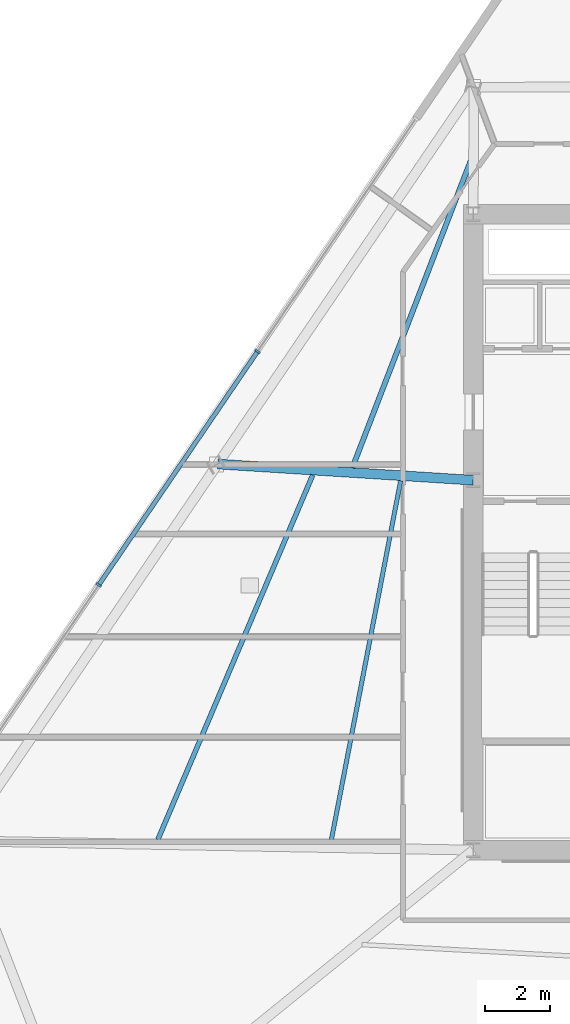
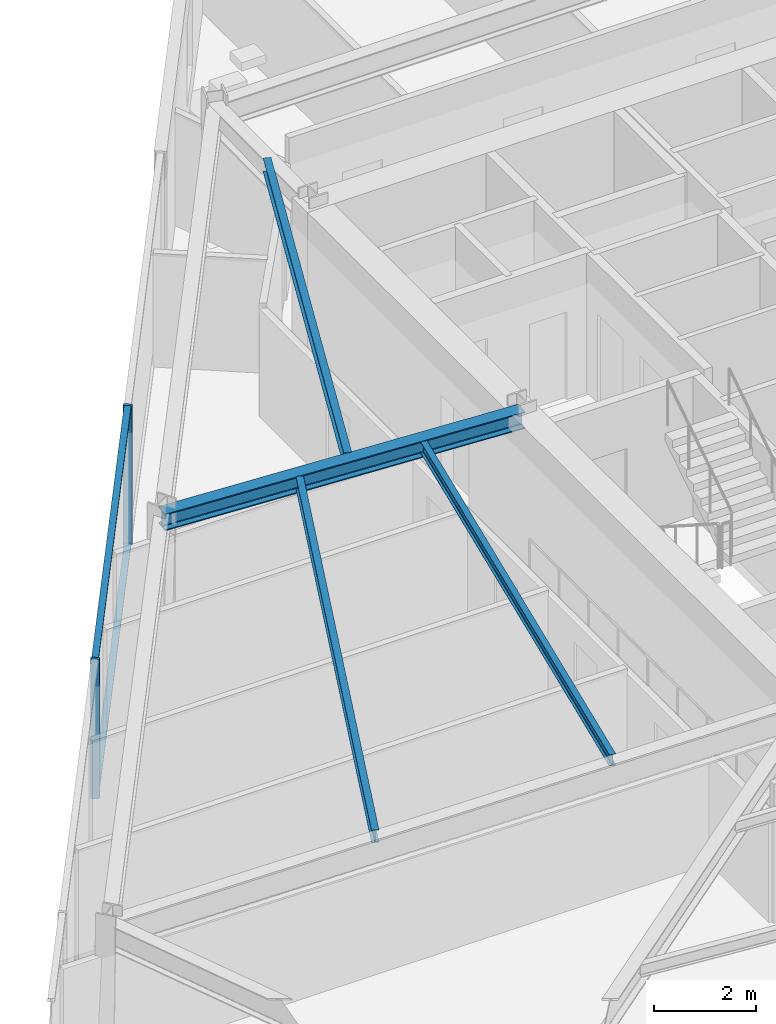
# One storey, part 4 of 17: 4 beams, 4 members, 1 element without a shape of its own.
"""IFC4 building model written with IfcOpenShell, lengths in metres."""

import ifcopenshell
import ifcopenshell.guid

model = None  # the IFC model being written
_history = None  # IfcOwnerHistory: only IFC2X3 demands one
_inside = {}  # id of a spatial element -> (the spatial element, [elements in it])
_under = {}  # id of a project, library or spatial element -> (it, [spatial elements below it])
_declared = {}  # id of a project -> (the project, [libraries it declares])
_typed = {}  # id of a type object -> (the type object, [elements of that type])
_made_of = {}  # id of a material, layer set ... -> (it, [elements and type objects made of it])


def new_model(schema):
    """Start an empty IFC model of exactly this schema.

    Asked for "IFC4X3", IfcOpenShell would pick the latest addendum, in which some entities
    have other attributes; the version numbers below select the first issue.
    IFC2X3 requires an IfcOwnerHistory on every rooted entity: one is made here for all.
    """
    global model, _history
    if schema == "IFC4X3":
        model = ifcopenshell.file(schema_version=(4, 3, 0, 0))
    else:
        model = ifcopenshell.file(schema=schema)
    _inside.clear()
    _under.clear()
    _declared.clear()
    _typed.clear()
    _made_of.clear()
    _history = None
    if model.schema == "IFC2X3":
        org = make("IfcOrganization", Name="unknown")
        user = make(
            "IfcPersonAndOrganization",
            ThePerson=make("IfcPerson", FamilyName="unknown"),
            TheOrganization=org,
        )
        app = make(
            "IfcApplication",
            ApplicationDeveloper=org,
            Version="unknown",
            ApplicationFullName="unknown",
            ApplicationIdentifier="unknown",
        )
        _history = make(
            "IfcOwnerHistory",
            OwningUser=user,
            OwningApplication=app,
            ChangeAction="ADDED",
            CreationDate=0,
        )
    return model


def make(cls, **values):
    """One entity of the class cls with the attributes given. An attribute that is None is left unset."""
    return model.create_entity(
        cls, **{name: value for name, value in values.items() if value is not None}
    )


def rooted(cls, **values):
    """An entity with a GlobalId (a new one), such as an element, a storey or a relation."""
    return make(cls, GlobalId=ifcopenshell.guid.new(), OwnerHistory=_history, **values)


def si_unit(unit_type, name, prefix=None):
    """IfcSIUnit, for example si_unit("LENGTHUNIT", "METRE", prefix="MILLI")."""
    return make("IfcSIUnit", UnitType=unit_type, Prefix=prefix, Name=name)


def assignment(units):
    """IfcUnitAssignment: the units of a project."""
    return None if units is None else make("IfcUnitAssignment", Units=units)


def point(xyz):
    """IfcCartesianPoint."""
    return None if xyz is None else make("IfcCartesianPoint", Coordinates=xyz)


def direction(xyz):
    """IfcDirection."""
    return None if xyz is None else make("IfcDirection", DirectionRatios=xyz)


def frame(location, z_axis=None, x_axis=None):
    """IfcAxis2Placement3D, a coordinate frame: its origin and axes. An axis left out is left unset."""
    return make(
        "IfcAxis2Placement3D",
        Location=point(location),
        Axis=direction(z_axis),
        RefDirection=direction(x_axis),
    )


def frame_2d(location, x_axis=None):
    """IfcAxis2Placement2D, a coordinate frame in the plane: its origin and x axis."""
    return make(
        "IfcAxis2Placement2D", Location=point(location), RefDirection=direction(x_axis)
    )


def origin():
    """The frame at (0, 0, 0) with its axes left unset."""
    return frame((0.0, 0.0, 0.0))


def origin_2d():
    """The frame at (0, 0) in the plane with its x axis left unset."""
    return frame_2d((0.0, 0.0))


def place(relative_to, where):
    """IfcLocalPlacement: puts the frame where relative to a parent placement (None: the world)."""
    return make(
        "IfcLocalPlacement", PlacementRelTo=relative_to, RelativePlacement=where
    )


def context(
    kind, dimensions, precision=None, world=None, true_north=None, identifier=None
):
    """IfcGeometricRepresentationContext, for example the 3D "Model" context."""
    return make(
        "IfcGeometricRepresentationContext",
        ContextIdentifier=identifier,
        ContextType=kind,
        CoordinateSpaceDimension=dimensions,
        Precision=precision,
        WorldCoordinateSystem=world,
        TrueNorth=true_north,
    )


def subcontext(parent, identifier, kind, view, scale=None):
    """IfcGeometricRepresentationSubContext, for example "Body" below "Model"."""
    return make(
        "IfcGeometricRepresentationSubContext",
        ContextIdentifier=identifier,
        ContextType=kind,
        ParentContext=parent,
        TargetScale=scale,
        TargetView=view,
    )


def project(units=None, contexts=None):
    """IfcProject with its units and contexts."""
    return rooted(
        "IfcProject",
        Name="project",
        RepresentationContexts=contexts,
        UnitsInContext=assignment(units),
    )


def spatial(cls, under=None, at=None, **own):
    """A site, building, storey or space (cls), placed at a placement, below another one or the project."""
    s = rooted(cls, ObjectPlacement=at, **own)
    if under is not None:
        _under.setdefault(under.id(), (under, []))[1].append(s)
    return s


def profile(cls, at=None, kind="AREA", **sizes):
    """A parametric profile (cls). Its sizes go by their IFC names, for example OverallWidth=200.0."""
    return make(cls, ProfileType=kind, Position=at, **sizes)


def rectangle(**sizes):
    """IfcRectangleProfileDef."""
    return profile("IfcRectangleProfileDef", **sizes)


def i_section(**sizes):
    """IfcIShapeProfileDef."""
    return profile("IfcIShapeProfileDef", **sizes)


def extrude(swept, where, along, depth):
    """IfcExtrudedAreaSolid: the profile swept, set in the frame where, extruded along a direction by depth."""
    return make(
        "IfcExtrudedAreaSolid",
        SweptArea=swept,
        Position=where,
        ExtrudedDirection=direction(along),
        Depth=depth,
    )


def shape(context_of_items, identifier, shape_type, items):
    """IfcShapeRepresentation: the items that make up one representation, for example the "Body"."""
    return make(
        "IfcShapeRepresentation",
        ContextOfItems=context_of_items,
        RepresentationIdentifier=identifier,
        RepresentationType=shape_type,
        Items=items,
    )


def material(Name=None, Category=None):
    """IfcMaterial."""
    return make("IfcMaterial", Name=Name, Category=Category)


def material_profile(
    of_material, cross_section, Name=None, Category=None, Priority=None
):
    """IfcMaterialProfile: a cross section and its material."""
    return make(
        "IfcMaterialProfile",
        Name=Name,
        Material=of_material,
        Profile=cross_section,
        Priority=Priority,
        Category=Category,
    )


def profile_set(profiles, Name=None, composite=None):
    """IfcMaterialProfileSet."""
    return make(
        "IfcMaterialProfileSet",
        Name=Name,
        MaterialProfiles=profiles,
        CompositeProfile=composite,
    )


def made_of(thing, what):
    """Note that an element or type object is made of a material, layer set ...; save() writes the relation."""
    if what is not None:
        _made_of.setdefault(what.id(), (what, []))[1].append(thing)
    return thing


def type_object(cls, material=None, **own):
    """A type object (cls), such as IfcWallType, which elements share."""
    return made_of(rooted(cls, **own), material)


def element(
    cls,
    number,
    at=None,
    inside=None,
    cuts=None,
    type_object=None,
    material=None,
    context=None,
    identifier="Body",
    shape_type=None,
    held_by="IfcProductDefinitionShape",
    body=None,
    shapes=None,
    **own,
):
    """One element of the class cls, such as IfcWall. Its Tag is "e" and its number.

    at: its placement. inside: the storey or other place that contains it. cuts: it is an
    opening in that element (IfcRelVoidsElement). A single representation is given by context,
    identifier, shape_type and body (its items); several are given by shapes. held_by: the class
    of the entity that holds the representations. save() writes the other relations.
    """
    e = rooted(cls, Tag="e%d" % number, ObjectPlacement=at, **own)
    if body is not None:
        shapes = [shape(context, identifier, shape_type, body)]
    if shapes is not None:
        e.Representation = make(held_by, Representations=shapes)
    if inside is not None:
        _inside.setdefault(inside.id(), (inside, []))[1].append(e)
    if cuts is not None:
        rooted(
            "IfcRelVoidsElement", RelatingBuildingElement=cuts, RelatedOpeningElement=e
        )
    if type_object is not None:
        _typed.setdefault(type_object.id(), (type_object, []))[1].append(e)
    return made_of(e, material)


def aggregate(whole, parts):
    """IfcRelAggregates: a whole, such as a stair, and the parts it consists of."""
    return rooted("IfcRelAggregates", RelatingObject=whole, RelatedObjects=parts)


def save(model, path):
    """Write the relations noted so far, then the file.

    IfcRelAggregates (storeys below a building ...), IfcRelContainedInSpatialStructure (elements
    in a storey), IfcRelDefinesByType, IfcRelAssociatesMaterial and IfcRelDeclares: one each for
    every whole, place, type object, material and project.
    """
    for whole, parts in _under.values():
        aggregate(whole, parts)
    for where, things in _inside.values():
        rooted(
            "IfcRelContainedInSpatialStructure",
            RelatedElements=things,
            RelatingStructure=where,
        )
    for kind, things in _typed.values():
        rooted("IfcRelDefinesByType", RelatedObjects=things, RelatingType=kind)
    for what, things in _made_of.values():
        rooted("IfcRelAssociatesMaterial", RelatedObjects=things, RelatingMaterial=what)
    for by, libraries in _declared.values():
        rooted("IfcRelDeclares", RelatingContext=by, RelatedDefinitions=libraries)
    model.write(path)


model = new_model("IFC4")

# Units and contexts
model_context = context("Model", 3, precision=1e-05, world=origin(), true_north=direction((0.0, 1.0)))
body_context = subcontext(model_context, "Body", "Model", "MODEL_VIEW")
ifc_project = project(units=[si_unit("LENGTHUNIT", "METRE"), si_unit("AREAUNIT", "SQUARE_METRE"), si_unit("VOLUMEUNIT", "CUBIC_METRE"), si_unit("PLANEANGLEUNIT", "RADIAN"), si_unit("MASSUNIT", "GRAM", prefix="KILO")], contexts=[model_context])

# Site, building, storey
site_placement = place(None, origin())
site = spatial("IfcSite", under=ifc_project, at=site_placement, CompositionType="ELEMENT")
building_placement = place(site_placement, origin())
building = spatial("IfcBuilding", under=site, at=building_placement, Name="Savorim Split Tower", CompositionType="ELEMENT")
storey_placement = place(building_placement, frame((0.0, 0.0, 58.800048828125)))
storey = spatial("IfcBuildingStorey", under=building, at=storey_placement, Name="L15", CompositionType="ELEMENT", Elevation=58.800048828125)

# Beams
ifc_material_1 = material(Name="Steel S355", Category="steel")
ifc_material_profile_1 = material_profile(ifc_material_1, i_section(OverallWidth=0.135009765625, OverallDepth=0.27001953125, WebThickness=0.006591796875, FlangeThickness=0.01025390625, FilletRadius=0.014892578125, at=origin_2d()), Name="IPE 270")
ifc_profile_set_1 = profile_set([ifc_material_profile_1], Name="Steel S355")
beam_type_1 = type_object("IfcBeamType", Name="BM-JST-IPE270", PredefinedType="JOIST", material=ifc_profile_set_1)
beam_1_placement = place(storey_placement, frame((-9.935546875, 1.982177734375, 3.21484375), z_axis=(-0.189527008156, -0.981875507984, 0.0), x_axis=(0.981875507984, -0.189527008156, 0.0)))
element("IfcBeam", 1, at=beam_1_placement, inside=storey, type_object=beam_type_1, Name="L15 Secondary Floor Joist JS-11", PredefinedType="JOIST", context=body_context, shape_type="SweptSolid", body=[
    extrude(i_section(OverallWidth=0.135009765625, OverallDepth=0.27001953125, WebThickness=0.006591796875, FlangeThickness=0.01025390625, FilletRadius=0.014892578125, at=origin_2d()), origin(), (0.0, 0.0, 1.0), 11.351318359375),
])
ifc_material_profile_2 = material_profile(ifc_material_1, i_section(OverallWidth=0.14990234375, OverallDepth=0.300048828125, WebThickness=0.007080078125, FlangeThickness=0.0107421875, FilletRadius=0.014892578125, at=origin_2d()), Name="IPE 300")
ifc_profile_set_2 = profile_set([ifc_material_profile_2], Name="Steel S355")
beam_type_2 = type_object("IfcBeamType", Name="BM-JST-IPE300", PredefinedType="JOIST", material=ifc_profile_set_2)
beam_2_placement = place(storey_placement, frame((-12.6455078125, 2.160888671875, 3.199951171875), z_axis=(-0.39093187894, -0.920419614104, 0.0), x_axis=(0.920419614104, -0.39093187894, 0.0)))
element("IfcBeam", 2, at=beam_2_placement, inside=storey, type_object=beam_type_2, Name="L15 Secondary Floor Joist JS-10", PredefinedType="JOIST", context=body_context, shape_type="SweptSolid", body=[
    extrude(i_section(OverallWidth=0.14990234375, OverallDepth=0.300048828125, WebThickness=0.007080078125, FlangeThickness=0.0107421875, FilletRadius=0.014892578125, at=origin_2d()), origin(), (0.0, 0.0, 1.0), 12.209228515625),
])
ifc_material_profile_3 = material_profile(ifc_material_1, i_section(OverallWidth=0.159912109375, OverallDepth=0.330078125, WebThickness=0.007568359375, FlangeThickness=0.011474609375, FilletRadius=0.01806640625, at=origin_2d()), Name="IPE 330")
ifc_profile_set_3 = profile_set([ifc_material_profile_3], Name="Steel S355")
beam_type_3 = type_object("IfcBeamType", Name="BM-JST-IPE330", PredefinedType="JOIST", material=ifc_profile_set_3)
beam_3_placement = place(storey_placement, frame((-7.745849609375, 11.927490234375, 3.18505859375), z_axis=(-0.359655870599, -0.933085020105, 0.0), x_axis=(0.933085020105, -0.359655870599, 0.0)))
element("IfcBeam", 3, at=beam_3_placement, inside=storey, type_object=beam_type_3, Name="L15 Secondary Floor Joist JS-09", PredefinedType="JOIST", context=body_context, shape_type="SweptSolid", body=[
    extrude(i_section(OverallWidth=0.159912109375, OverallDepth=0.330078125, WebThickness=0.007568359375, FlangeThickness=0.011474609375, FilletRadius=0.01806640625, at=origin_2d()), origin(), (0.0, 0.0, 1.0), 10.2236328125),
])
ifc_material_profile_4 = material_profile(ifc_material_1, i_section(OverallWidth=0.300048828125, OverallDepth=0.39990234375, WebThickness=0.013427734375, FlangeThickness=0.02392578125, FilletRadius=0.027099609375, at=origin_2d()), Name="HEB 400")
ifc_profile_set_4 = profile_set([ifc_material_profile_4], Name="Steel S355")
beam_type_4 = type_object("IfcBeamType", Name="BM-PRI-HEB400", PredefinedType="BEAM", material=ifc_profile_set_4)
beam_4_placement = place(storey_placement, frame((-15.57568359375, 2.4970703125, 3.14990234375), z_axis=(0.998014231407, -0.062988839553, 0.0), x_axis=(0.062988839553, 0.998014231407, 0.0)))
element("IfcBeam", 4, at=beam_4_placement, inside=storey, type_object=beam_type_4, Name="L15 Primary Floor Girder RG-09", PredefinedType="BEAM", context=body_context, shape_type="SweptSolid", body=[
    extrude(i_section(OverallWidth=0.300048828125, OverallDepth=0.39990234375, WebThickness=0.013427734375, FlangeThickness=0.02392578125, FilletRadius=0.027099609375, at=origin_2d()), origin(), (0.0, 0.0, 1.0), 7.891357421875),
])

# Curtain wall, members
ifc_material_2 = material(Name="Dark Ceramic-Fritted Insulated Glass", Category="glass")
curtain_wall_type = type_object("IfcCurtainWallType", Name="CW-TWR-FRIT-A", PredefinedType="NOTDEFINED", material=ifc_material_2)
curtain_wall_placement = place(storey_placement, origin())
curtain_wall = element("IfcCurtainWall", 5, at=curtain_wall_placement, inside=storey, type_object=curtain_wall_type, Name="L15 Curtain Wall CW-L15-WEST", PredefinedType="NOTDEFINED")
ifc_material_3 = material(Name="Charcoal Anodised Aluminium", Category="aluminium")
ifc_material_profile_5 = material_profile(ifc_material_3, rectangle(XDim=0.179931640625, YDim=0.06494140625, at=origin_2d()), Name="ALU-M 180x65")
ifc_profile_set_5 = profile_set([ifc_material_profile_5], Name="Charcoal Anodised Aluminium")
member_type_1 = type_object("IfcMemberType", Name="CWM-180x65", PredefinedType="MULLION", material=ifc_profile_set_5)
member_1_placement = place(storey_placement, frame((-14.34619140625, 5.967041015625, 0.0), z_axis=(0.0, 0.0, 1.0), x_axis=(0.826820172644, -0.562466356423, 0.0)))
member_1 = element("IfcMember", 6, at=member_1_placement, type_object=member_type_1, Name="CW-02 mullion 2", PredefinedType="MULLION", context=body_context, shape_type="SweptSolid", body=[
    extrude(rectangle(XDim=0.179931640625, YDim=0.06494140625, at=origin_2d()), origin(), (0.0, 0.0, 1.0), 3.349853515625),
])
member_2_placement = place(storey_placement, frame((-19.24169921875, -1.229248046875, 0.0), z_axis=(0.0, 0.0, 1.0), x_axis=(0.826820172644, -0.562466356423, 0.0)))
member_2 = element("IfcMember", 7, at=member_2_placement, type_object=member_type_1, Name="CW-02 mullion 3", PredefinedType="MULLION", context=body_context, shape_type="SweptSolid", body=[
    extrude(rectangle(XDim=0.179931640625, YDim=0.06494140625, at=origin_2d()), origin(), (0.0, 0.0, 1.0), 3.349853515625),
])
ifc_material_profile_6 = material_profile(ifc_material_3, rectangle(XDim=0.139892578125, YDim=0.054931640625, at=origin_2d()), Name="ALU-T 140x55")
ifc_profile_set_6 = profile_set([ifc_material_profile_6], Name="Charcoal Anodised Aluminium")
member_type_2 = type_object("IfcMemberType", Name="CWT-140x55", PredefinedType="USERDEFINED", material=ifc_profile_set_6)
member_3_placement = place(storey_placement, frame((-14.364501953125, 5.940185546875, 0.02734375), z_axis=(-0.562463069867, -0.826822408402, 0.0), x_axis=(0.826822408402, -0.562463069867, 0.0)))
member_3 = element("IfcMember", 8, at=member_3_placement, type_object=member_type_2, Name="CW-02 transom 2.1", ObjectType="TRANSOM", PredefinedType="USERDEFINED", context=body_context, shape_type="SweptSolid", body=[
    extrude(rectangle(XDim=0.139892578125, YDim=0.054931640625, at=origin_2d()), origin(), (0.0, 0.0, 1.0), 8.638671875),
])
member_4_placement = place(storey_placement, frame((-14.364501953125, 5.940185546875, 3.322509765625), z_axis=(-0.562463069867, -0.826822408402, 0.0), x_axis=(0.826822408402, -0.562463069867, 0.0)))
member_4 = element("IfcMember", 9, at=member_4_placement, type_object=member_type_2, Name="CW-02 transom 2.2", ObjectType="TRANSOM", PredefinedType="USERDEFINED", context=body_context, shape_type="SweptSolid", body=[
    extrude(rectangle(XDim=0.139892578125, YDim=0.054931640625, at=origin_2d()), origin(), (0.0, 0.0, 1.0), 8.638671875),
])
aggregate(curtain_wall, [member_1, member_2, member_3, member_4])

save(model, "model.ifc")
